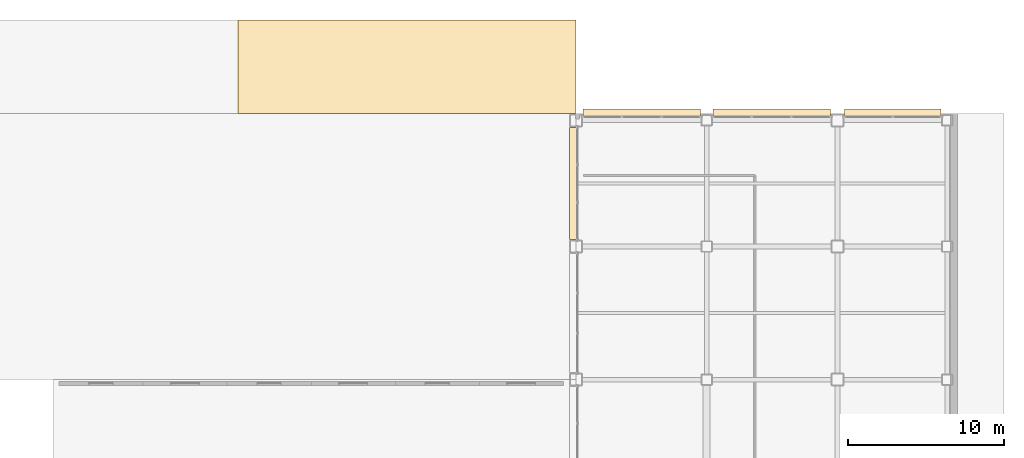
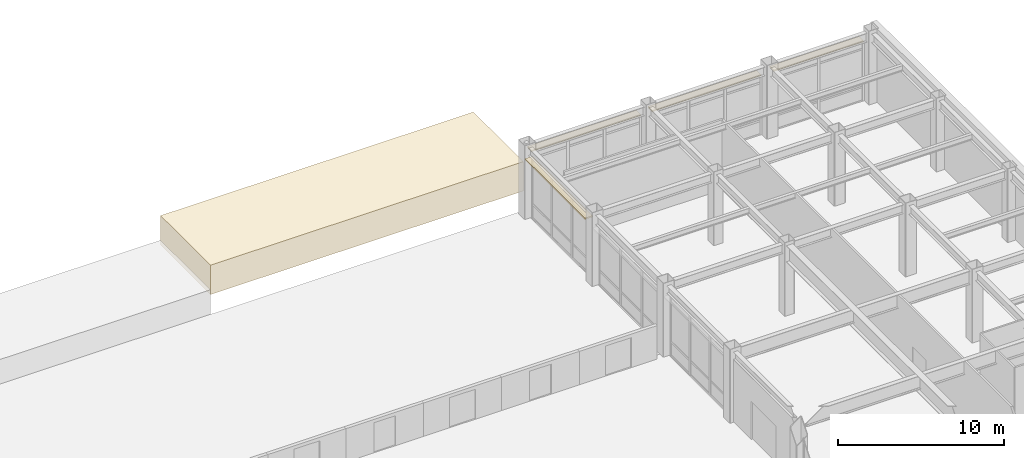
# One storey, part 165 of 165: 5 coverings.
"""IFC4 building model written with IfcOpenShell, lengths in metres."""

from ifc_helpers import new_model, si_unit, direction, frame, origin, origin_2d, place, context, subcontext, project, spatial, polyline, rectangle, outline, extrude, material, layer, layer_set, type_object, element, save


model = new_model("IFC4")

# Units and contexts
model_context = context("Model", 3, precision=1e-05, world=origin(), true_north=direction((0.0, 1.0)))
body_context = subcontext(model_context, "Body", "Model", "MODEL_VIEW")
ifc_project = project(units=[si_unit("LENGTHUNIT", "METRE"), si_unit("AREAUNIT", "SQUARE_METRE"), si_unit("VOLUMEUNIT", "CUBIC_METRE"), si_unit("PLANEANGLEUNIT", "RADIAN"), si_unit("MASSUNIT", "GRAM", prefix="KILO")], contexts=[model_context])

# Site, building, storey
site_placement = place(None, origin())
site = spatial("IfcSite", under=ifc_project, at=site_placement, CompositionType="ELEMENT")
building_placement = place(site_placement, origin())
building = spatial("IfcBuilding", under=site, at=building_placement, Name="Kazehara Bluff Congress Hotel", CompositionType="ELEMENT")
storey_placement = place(building_placement, origin())
storey = spatial("IfcBuildingStorey", under=building, at=storey_placement, Name="L00", CompositionType="ELEMENT", Elevation=0.0)

# Coverings
ifc_material_1 = material(Name="Anodised aluminium architectural brise-soleil", Category="aluminium")
ifc_layer_1 = layer(ifc_material_1, 0.10009765625)
ifc_layer_set_1 = layer_set([ifc_layer_1], Name="Anodised aluminium architectural brise-soleil")
covering_type_1 = type_object("IfcCoveringType", Name="TP-FAC-FIN", PredefinedType="CLADDING", material=ifc_layer_set_1)
for number, where, z_axis, x_axis, name in (
    (1, (147.925048828125, 114.02001953125, 4.304931640625), (0.0, 0.0, 1.0), (1.0, 0.0, 0.0), "L00 V5 architectural sun-hood 21"),
    (2, (156.27490234375, 114.02001953125, 4.304931640625), (0.0, 0.0, 1.0), (1.0, 0.0, 0.0), "L00 V5 architectural sun-hood 22"),
):
    element("IfcCovering", number, at=place(storey_placement, frame(where, z_axis=z_axis, x_axis=x_axis)), inside=storey, type_object=covering_type_1, Name=name, PredefinedType="CLADDING", context=body_context, shape_type="SweptSolid", body=[
        extrude(rectangle(XDim=7.550048828125, YDim=0.52001953125, at=origin_2d()), origin(), (0.0, 0.0, 1.0), 0.10009765625),
    ])
covering_1_placement = place(storey_placement, frame((164.050048828125, 114.02001953125, 4.304931640625), z_axis=(0.0, 0.0, 1.0), x_axis=(1.0, 0.0, 0.0)))
element("IfcCovering", 3, at=covering_1_placement, inside=storey, type_object=covering_type_1, Name="L00 V5 architectural sun-hood 23", PredefinedType="CLADDING", context=body_context, shape_type="SweptSolid", body=[
    extrude(rectangle(XDim=6.199951171875, YDim=0.52001953125, at=origin_2d()), origin(), (0.0, 0.0, 1.0), 0.10009765625),
])
covering_2_placement = place(storey_placement, frame((143.56005859375, 109.5, 4.405029296875), z_axis=(0.0, 0.0, 1.0), x_axis=(1.0, 0.0, 0.0)))
element("IfcCovering", 4, at=covering_2_placement, inside=storey, type_object=covering_type_1, Name="L00 V5 architectural sun-hood 29", PredefinedType="CLADDING", context=body_context, shape_type="SweptSolid", body=[
    extrude(rectangle(XDim=0.52001953125, YDim=7.199951171875, at=origin_2d()), origin(), (0.0, 0.0, 1.0), 0.10009765625),
])
ifc_material_2 = material(Name="Granite stone site paving", Category="masonry")
ifc_layer_2 = layer(ifc_material_2, 2.14990234375)
ifc_layer_set_2 = layer_set([ifc_layer_2], Name="Granite stone site paving")
covering_type_2 = type_object("IfcCoveringType", Name="TP-SITE-PAV2", PredefinedType="FLOORING", material=ifc_layer_set_2)
covering_3_placement = place(storey_placement, frame((0.0, 0.0, 1.449951171875)))
element("IfcCovering", 5, at=covering_3_placement, inside=storey, type_object=covering_type_2, Name="Osaka bluff granite site terrace PAV-NTH-STEP2", PredefinedType="FLOORING", context=body_context, shape_type="SweptSolid", body=[
    extrude(outline(polyline([(122.0, 114.0), (143.699951171875, 114.0), (143.699951171875, 120.0), (122.0, 120.0), (122.0, 114.0)])), origin(), (0.0, 0.0, 1.0), 2.150146484375),
])

save(model, "model.ifc")
